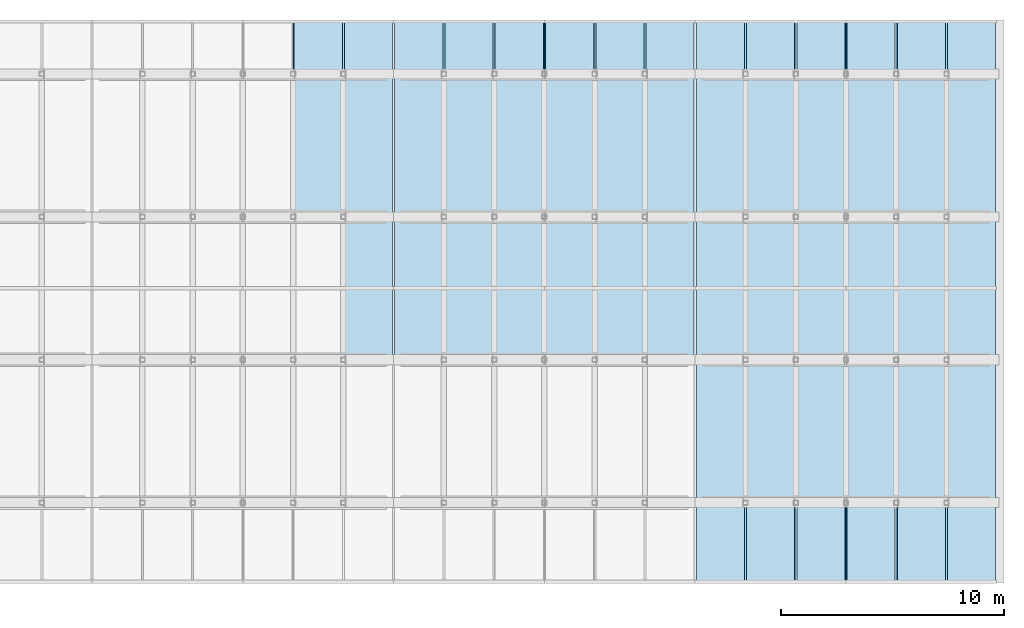
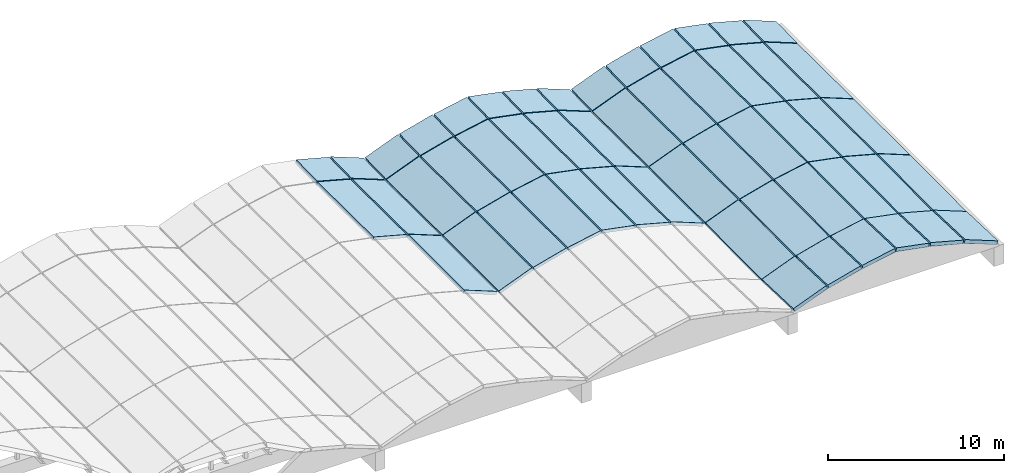
# One storey, part 14 of 15: 53 slabs, 3 elements without a shape of their own.
"""IFC4 building model written with IfcOpenShell, lengths in metres."""

from ifc_helpers import new_model, si_unit, direction, frame, origin, place, context, subcontext, project, spatial, polyline, outline, extrude, material, layer, layer_set, type_object, element, aggregate, save


model = new_model("IFC4")

# Units and contexts
model_context = context("Model", 3, precision=1e-05, world=origin(), true_north=direction((0.0, 1.0)))
body_context = subcontext(model_context, "Body", "Model", "MODEL_VIEW")
ifc_project = project(units=[si_unit("LENGTHUNIT", "METRE"), si_unit("AREAUNIT", "SQUARE_METRE"), si_unit("VOLUMEUNIT", "CUBIC_METRE"), si_unit("PLANEANGLEUNIT", "RADIAN"), si_unit("MASSUNIT", "GRAM", prefix="KILO")], contexts=[model_context])

# Site, building, storey
site_placement = place(None, origin())
site = spatial("IfcSite", under=ifc_project, at=site_placement, CompositionType="ELEMENT")
building_placement = place(site_placement, origin())
building = spatial("IfcBuilding", under=site, at=building_placement, Name="Fikremerkos Civic Library", CompositionType="ELEMENT")
storey_placement = place(building_placement, frame((0.0, 0.0, 27.89990234375)))
storey = spatial("IfcBuildingStorey", under=building, at=storey_placement, Name="RF", CompositionType="ELEMENT", Elevation=27.89990234375)

# Roof, slabs
ifc_material = material(Name="Concrete C40/50", Category="concrete")
ifc_layer_1 = layer(ifc_material, 0.219970703125, Name="Concrete C40/50")
ifc_layer_set_1 = layer_set([ifc_layer_1], Name="Concrete C40/50")
roof_type = type_object("IfcRoofType", Name="Reading hall barrel vault assembly RF-BV", PredefinedType="BARREL_ROOF", material=ifc_layer_set_1)
roof_1_placement = place(storey_placement, origin())
roof_1 = element("IfcRoof", 1, at=roof_1_placement, inside=storey, type_object=roof_type, Name="Reading hall concrete barrel vault V5", PredefinedType="BARREL_ROOF")
ifc_layer_2 = layer(ifc_material, 0.219970703125, Name="Concrete C40/50")
ifc_layer_set_2 = layer_set([ifc_layer_2], Name="Concrete C40/50")
slab_type_1 = type_object("IfcSlabType", Name="Vault shell roof strip VSR-01 220", PredefinedType="ROOF", material=ifc_layer_set_2)
slab_1_placement = place(storey_placement, frame((84.498046875, 18.4150390625, 1.076171875), z_axis=(0.365636053128, 0.0, 0.930757904427), x_axis=(0.930757904427, 0.0, -0.365636053128)))
slab_1 = element("IfcSlab", 2, at=slab_1_placement, type_object=slab_type_1, Name="Barrel vault shell strip VSR-01 V5 R3 F6", PredefinedType="ROOF", context=body_context, shape_type="SweptSolid", body=[
    extrude(outline(polyline([(0.0, 0.0), (2.314299695043787, 0.0), (2.314299695043787, 6.369873046875), (0.0, 6.369873046875), (0.0, 0.0)])), origin(), (0.0, 0.0, -1.0), 0.219970703125),
])
slab_2_placement = place(storey_placement, frame((82.248046875, 24.81494140625, 1.654052734375), z_axis=(0.259108847261, 0.006070671626, 0.965829049168), x_axis=(0.965846846535, 0.0, -0.259113621869)))
slab_2 = element("IfcSlab", 3, at=slab_2_placement, type_object=slab_type_1, Name="Barrel vault shell strip VSR-01 V5 R4 F5", PredefinedType="ROOF", context=body_context, shape_type="SweptSolid", body=[
    extrude(outline(polyline([(0.0, 0.0), (2.2302218432479766, -4.336808689942018e-19), (2.2405965097485847, 6.3702345698807505), (0.010374666500608148, 6.3702345698807505), (0.0, 0.0)])), origin(), (0.0, 0.0, -1.0), 0.219970703125),
])
slab_3_placement = place(storey_placement, frame((84.498046875, 24.81494140625, 1.076171875), z_axis=(0.365584139107, 0.005832410844, 0.930760022894), x_axis=(0.930775853527, 2.86336e-07, -0.365590358861)))
slab_3 = element("IfcSlab", 4, at=slab_3_placement, type_object=slab_type_1, Name="Barrel vault shell strip VSR-01 V5 R4 F6", PredefinedType="ROOF", context=body_context, shape_type="SweptSolid", body=[
    extrude(outline(polyline([(0.0, 0.0), (2.314299692254804, -8.673617379884035e-19), (2.328850156019198, 6.370224869609008), (0.01463971922310075, 6.37022619494165), (0.0, 0.0)])), origin(), (0.0, 0.0, -1.0), 0.219970703125),
])

roof_2_placement = place(storey_placement, origin())
roof_2 = element("IfcRoof", 5, at=roof_2_placement, inside=storey, type_object=roof_type, Name="Reading hall concrete barrel vault V6", PredefinedType="BARREL_ROOF")
slab_4_placement = place(storey_placement, frame((86.748046875, 18.4150390625, 0.22998046875), z_axis=(-0.365636053128, 0.0, 0.930757904427), x_axis=(0.930757904427, 0.0, 0.365636053128)))
slab_4 = element("IfcSlab", 6, at=slab_4_placement, type_object=slab_type_1, Name="Barrel vault shell strip VSR-01 V6 R3 F1", PredefinedType="ROOF", context=body_context, shape_type="SweptSolid", body=[
    extrude(outline(polyline([(0.0, 0.0), (2.314299695043787, 0.0), (2.314299695043787, 6.369873046875), (0.0, 6.369873046875), (0.0, 0.0)])), origin(), (0.0, 0.0, -1.0), 0.219970703125),
])
slab_5_placement = place(storey_placement, frame((88.998046875, 18.4150390625, 1.076171875), z_axis=(-0.259113621869, 0.0, 0.965846846535), x_axis=(0.965846846535, 0.0, 0.259113621869)))
slab_5 = element("IfcSlab", 7, at=slab_5_placement, type_object=slab_type_1, Name="Barrel vault shell strip VSR-01 V6 R3 F2", PredefinedType="ROOF", context=body_context, shape_type="SweptSolid", body=[
    extrude(outline(polyline([(0.0, 0.0), (2.2302218432479766, 0.0), (2.2302218432479766, 6.369873046875), (0.0, 6.369873046875), (0.0, 0.0)])), origin(), (0.0, 0.0, -1.0), 0.219970703125),
])
slab_6_placement = place(storey_placement, frame((91.248046875, 18.4150390625, 1.654052734375), z_axis=(-0.191450242889, 0.0, 0.981502320169), x_axis=(0.981502320169, 0.0, 0.191450242889)))
slab_6 = element("IfcSlab", 8, at=slab_6_placement, type_object=slab_type_1, Name="Barrel vault shell strip VSR-01 V6 R3 F3", PredefinedType="ROOF", context=body_context, shape_type="SweptSolid", body=[
    extrude(outline(polyline([(0.0, 0.0), (2.1946486423012233, 0.0), (2.1946486423012233, 6.369873046875), (0.0, 6.369873046875), (0.0, 0.0)])), origin(), (0.0, 0.0, -1.0), 0.219970703125),
])
slab_7_placement = place(storey_placement, frame((93.498046875, 18.4150390625, 2.07421875), z_axis=(0.191450242889, 0.0, 0.981502320169), x_axis=(0.981502320169, 0.0, -0.191450242889)))
slab_7 = element("IfcSlab", 9, at=slab_7_placement, type_object=slab_type_1, Name="Barrel vault shell strip VSR-01 V6 R3 F4", PredefinedType="ROOF", context=body_context, shape_type="SweptSolid", body=[
    extrude(outline(polyline([(0.0, 0.0), (2.1946486423012233, 0.0), (2.1946486423012233, 6.369873046875), (0.0, 6.369873046875), (0.0, 0.0)])), origin(), (0.0, 0.0, -1.0), 0.219970703125),
])
slab_8_placement = place(storey_placement, frame((95.748046875, 18.4150390625, 1.654052734375), z_axis=(0.259113621869, 0.0, 0.965846846535), x_axis=(0.965846846535, 0.0, -0.259113621869)))
slab_8 = element("IfcSlab", 10, at=slab_8_placement, type_object=slab_type_1, Name="Barrel vault shell strip VSR-01 V6 R3 F5", PredefinedType="ROOF", context=body_context, shape_type="SweptSolid", body=[
    extrude(outline(polyline([(0.0, 0.0), (2.2302218432479766, 0.0), (2.2302218432479766, 6.369873046875), (0.0, 6.369873046875), (0.0, 0.0)])), origin(), (0.0, 0.0, -1.0), 0.219970703125),
])
slab_9_placement = place(storey_placement, frame((97.998046875, 18.4150390625, 1.076171875), z_axis=(0.365636053128, 0.0, 0.930757904427), x_axis=(0.930757904427, 0.0, -0.365636053128)))
slab_9 = element("IfcSlab", 11, at=slab_9_placement, type_object=slab_type_1, Name="Barrel vault shell strip VSR-01 V6 R3 F6", PredefinedType="ROOF", context=body_context, shape_type="SweptSolid", body=[
    extrude(outline(polyline([(0.0, 0.0), (2.314299695043787, 0.0), (2.314299695043787, 6.369873046875), (0.0, 6.369873046875), (0.0, 0.0)])), origin(), (0.0, 0.0, -1.0), 0.219970703125),
])
slab_10_placement = place(storey_placement, frame((86.748046875, 24.81494140625, 0.22998046875), z_axis=(-0.365584139107, 0.005832410844, 0.930760022894), x_axis=(0.930775853527, -2.86336e-07, 0.365590358861)))
slab_10 = element("IfcSlab", 12, at=slab_10_placement, type_object=slab_type_1, Name="Barrel vault shell strip VSR-01 V6 R4 F1", PredefinedType="ROOF", context=body_context, shape_type="SweptSolid", body=[
    extrude(outline(polyline([(0.0, 0.0), (2.314299692254804, 8.673617379884035e-19), (2.299659973031703, 6.370226194941651), (-0.014550463764394549, 6.370224869609008), (0.0, 0.0)])), origin(), (0.0, 0.0, -1.0), 0.219970703125),
])
slab_11_placement = place(storey_placement, frame((88.998046875, 24.81494140625, 1.076171875), z_axis=(-0.259108847261, 0.006070671626, 0.965829049168), x_axis=(0.965846846535, 0.0, 0.259113621869)))
slab_11 = element("IfcSlab", 13, at=slab_11_placement, type_object=slab_type_1, Name="Barrel vault shell strip VSR-01 V6 R4 F2", PredefinedType="ROOF", context=body_context, shape_type="SweptSolid", body=[
    extrude(outline(polyline([(0.0, 0.0), (2.2302218432479766, 4.336808689942018e-19), (2.2198471767473684, 6.3702345698807505), (-0.010374666500608148, 6.3702345698807505), (0.0, 0.0)])), origin(), (0.0, 0.0, -1.0), 0.219970703125),
])
slab_12_placement = place(storey_placement, frame((91.248046875, 24.81494140625, 1.654052734375), z_axis=(-0.191446599806, 0.006169067818, 0.981483643279), x_axis=(0.981502320169, 0.0, 0.191450242889)))
slab_12 = element("IfcSlab", 14, at=slab_12_placement, type_object=slab_type_1, Name="Barrel vault shell strip VSR-01 V6 R4 F3", PredefinedType="ROOF", context=body_context, shape_type="SweptSolid", body=[
    extrude(outline(polyline([(0.0, 0.0), (2.1946486423012233, -4.336808689942018e-19), (2.1869831540605427, 6.37023840600168), (-0.0076654882406804545, 6.37023840600168), (0.0, 0.0)])), origin(), (0.0, 0.0, -1.0), 0.219970703125),
])
slab_13_placement = place(storey_placement, frame((93.498046875, 24.81494140625, 2.07421875), z_axis=(0.191446599806, 0.006169067818, 0.981483643279), x_axis=(0.981502320169, 0.0, -0.191450242889)))
slab_13 = element("IfcSlab", 15, at=slab_13_placement, type_object=slab_type_1, Name="Barrel vault shell strip VSR-01 V6 R4 F4", PredefinedType="ROOF", context=body_context, shape_type="SweptSolid", body=[
    extrude(outline(polyline([(0.0, 0.0), (2.1946486423012233, 4.336808689942018e-19), (2.202314130541904, 6.37023840600168), (0.0076654882406804545, 6.37023840600168), (0.0, 0.0)])), origin(), (0.0, 0.0, -1.0), 0.219970703125),
])
slab_14_placement = place(storey_placement, frame((95.748046875, 24.81494140625, 1.654052734375), z_axis=(0.259108847261, 0.006070671626, 0.965829049168), x_axis=(0.965846846535, 0.0, -0.259113621869)))
slab_14 = element("IfcSlab", 16, at=slab_14_placement, type_object=slab_type_1, Name="Barrel vault shell strip VSR-01 V6 R4 F5", PredefinedType="ROOF", context=body_context, shape_type="SweptSolid", body=[
    extrude(outline(polyline([(0.0, 0.0), (2.2302218432479766, -4.336808689942018e-19), (2.2405965097485847, 6.3702345698807505), (0.010374666500608148, 6.3702345698807505), (0.0, 0.0)])), origin(), (0.0, 0.0, -1.0), 0.219970703125),
])
slab_15_placement = place(storey_placement, frame((97.998046875, 24.81494140625, 1.076171875), z_axis=(0.365584139107, 0.005832410844, 0.930760022894), x_axis=(0.930775853527, 2.86336e-07, -0.365590358861)))
slab_15 = element("IfcSlab", 17, at=slab_15_placement, type_object=slab_type_1, Name="Barrel vault shell strip VSR-01 V6 R4 F6", PredefinedType="ROOF", context=body_context, shape_type="SweptSolid", body=[
    extrude(outline(polyline([(0.0, 0.0), (2.314299692254804, -8.673617379884035e-19), (2.328850156019198, 6.370224869609008), (0.01463971922310075, 6.37022619494165), (0.0, 0.0)])), origin(), (0.0, 0.0, -1.0), 0.219970703125),
])

roof_3_placement = place(storey_placement, origin())
roof_3 = element("IfcRoof", 18, at=roof_3_placement, inside=storey, type_object=roof_type, Name="Reading hall concrete barrel vault V7", PredefinedType="BARREL_ROOF")
slab_16_placement = place(storey_placement, frame((100.248046875, 12.014892578125, 0.190185546875), z_axis=(-0.365584139107, -0.005832410844, 0.930760022894), x_axis=(0.930775854748, -2.86347e-07, 0.365590355752)))
slab_16 = element("IfcSlab", 19, at=slab_16_placement, type_object=slab_type_1, Name="Barrel vault shell strip VSR-01 V7 R2 F1", PredefinedType="ROOF", context=body_context, shape_type="SweptSolid", body=[
    extrude(outline(polyline([(0.0, 0.0), (2.314210436796477, -8.673617379884035e-19), (2.328846507834182, 6.370226203324673), (0.014546815579757719, 6.370224877940915), (0.0, 0.0)])), origin(), (0.0, 0.0, -1.0), 0.219970703125),
])
slab_17_placement = place(storey_placement, frame((102.498046875, 12.014892578125, 1.0361328125), z_axis=(-0.259108847261, -0.006070671626, 0.965829049168), x_axis=(0.965846846535, 0.0, 0.259113621869)))
slab_17 = element("IfcSlab", 20, at=slab_17_placement, type_object=slab_type_1, Name="Barrel vault shell strip VSR-01 V7 R2 F2", PredefinedType="ROOF", context=body_context, shape_type="SweptSolid", body=[
    extrude(outline(polyline([(0.0, 0.0), (2.2302218432479766, -4.336808689942018e-19), (2.2405965097485847, 6.3702345698807505), (0.010374666500608148, 6.3702345698807505), (0.0, 0.0)])), origin(), (0.0, 0.0, -1.0), 0.219970703125),
])
slab_18_placement = place(storey_placement, frame((104.748046875, 12.014892578125, 1.614013671875), z_axis=(-0.191446599806, -0.006169067818, 0.981483643279), x_axis=(0.981502320169, 0.0, 0.191450242889)))
slab_18 = element("IfcSlab", 21, at=slab_18_placement, type_object=slab_type_1, Name="Barrel vault shell strip VSR-01 V7 R2 F3", PredefinedType="ROOF", context=body_context, shape_type="SweptSolid", body=[
    extrude(outline(polyline([(0.0, 0.0), (2.1946486423012233, 4.336808689942018e-19), (2.202314130541904, 6.37023840600168), (0.0076654882406804545, 6.37023840600168), (0.0, 0.0)])), origin(), (0.0, 0.0, -1.0), 0.219970703125),
])
slab_19_placement = place(storey_placement, frame((106.998046875, 12.014892578125, 2.0341796875), z_axis=(0.191446599806, -0.006169067818, 0.981483643279), x_axis=(0.981502320169, 0.0, -0.191450242889)))
slab_19 = element("IfcSlab", 22, at=slab_19_placement, type_object=slab_type_1, Name="Barrel vault shell strip VSR-01 V7 R2 F4", PredefinedType="ROOF", context=body_context, shape_type="SweptSolid", body=[
    extrude(outline(polyline([(0.0, 0.0), (2.1946486423012233, -4.336808689942018e-19), (2.1869831540605427, 6.37023840600168), (-0.0076654882406804545, 6.37023840600168), (0.0, 0.0)])), origin(), (0.0, 0.0, -1.0), 0.219970703125),
])
slab_20_placement = place(storey_placement, frame((109.248046875, 12.014892578125, 1.614013671875), z_axis=(0.259108847261, -0.006070671626, 0.965829049168), x_axis=(0.965846846535, 0.0, -0.259113621869)))
slab_20 = element("IfcSlab", 23, at=slab_20_placement, type_object=slab_type_1, Name="Barrel vault shell strip VSR-01 V7 R2 F5", PredefinedType="ROOF", context=body_context, shape_type="SweptSolid", body=[
    extrude(outline(polyline([(0.0, 0.0), (2.2302218432479766, 4.336808689942018e-19), (2.2198471767473684, 6.3702345698807505), (-0.010374666500608148, 6.3702345698807505), (0.0, 0.0)])), origin(), (0.0, 0.0, -1.0), 0.219970703125),
])
slab_21_placement = place(storey_placement, frame((111.498046875, 12.014892578125, 1.0361328125), z_axis=(0.365584139107, -0.005832410844, 0.930760022894), x_axis=(0.930775854748, 2.86347e-07, -0.365590355752)))
slab_21 = element("IfcSlab", 24, at=slab_21_placement, type_object=slab_type_1, Name="Barrel vault shell strip VSR-01 V7 R2 F6", PredefinedType="ROOF", context=body_context, shape_type="SweptSolid", body=[
    extrude(outline(polyline([(0.0, 0.0), (2.314210436796477, 8.673617379884035e-19), (2.299663621216719, 6.370224877940915), (-0.014636071037704897, 6.370226203324673), (0.0, 0.0)])), origin(), (0.0, 0.0, -1.0), 0.219970703125),
])
slab_22_placement = place(storey_placement, frame((100.248046875, 18.4150390625, 0.22998046875), z_axis=(-0.365636053128, 0.0, 0.930757904427), x_axis=(0.930757904427, 0.0, 0.365636053128)))
slab_22 = element("IfcSlab", 25, at=slab_22_placement, type_object=slab_type_1, Name="Barrel vault shell strip VSR-01 V7 R3 F1", PredefinedType="ROOF", context=body_context, shape_type="SweptSolid", body=[
    extrude(outline(polyline([(0.0, 0.0), (2.314299695043787, 0.0), (2.314299695043787, 6.369873046875), (0.0, 6.369873046875), (0.0, 0.0)])), origin(), (0.0, 0.0, -1.0), 0.219970703125),
])
slab_23_placement = place(storey_placement, frame((102.498046875, 18.4150390625, 1.076171875), z_axis=(-0.259113621869, 0.0, 0.965846846535), x_axis=(0.965846846535, 0.0, 0.259113621869)))
slab_23 = element("IfcSlab", 26, at=slab_23_placement, type_object=slab_type_1, Name="Barrel vault shell strip VSR-01 V7 R3 F2", PredefinedType="ROOF", context=body_context, shape_type="SweptSolid", body=[
    extrude(outline(polyline([(0.0, 0.0), (2.2302218432479766, 0.0), (2.2302218432479766, 6.369873046875), (0.0, 6.369873046875), (0.0, 0.0)])), origin(), (0.0, 0.0, -1.0), 0.219970703125),
])
slab_24_placement = place(storey_placement, frame((104.748046875, 18.4150390625, 1.654052734375), z_axis=(-0.191450242889, 0.0, 0.981502320169), x_axis=(0.981502320169, 0.0, 0.191450242889)))
slab_24 = element("IfcSlab", 27, at=slab_24_placement, type_object=slab_type_1, Name="Barrel vault shell strip VSR-01 V7 R3 F3", PredefinedType="ROOF", context=body_context, shape_type="SweptSolid", body=[
    extrude(outline(polyline([(0.0, 0.0), (2.1946486423012233, 0.0), (2.1946486423012233, 6.369873046875), (0.0, 6.369873046875), (0.0, 0.0)])), origin(), (0.0, 0.0, -1.0), 0.219970703125),
])
slab_25_placement = place(storey_placement, frame((106.998046875, 18.4150390625, 2.07421875), z_axis=(0.191450242889, 0.0, 0.981502320169), x_axis=(0.981502320169, 0.0, -0.191450242889)))
slab_25 = element("IfcSlab", 28, at=slab_25_placement, type_object=slab_type_1, Name="Barrel vault shell strip VSR-01 V7 R3 F4", PredefinedType="ROOF", context=body_context, shape_type="SweptSolid", body=[
    extrude(outline(polyline([(0.0, 0.0), (2.1946486423012233, 0.0), (2.1946486423012233, 6.369873046875), (0.0, 6.369873046875), (0.0, 0.0)])), origin(), (0.0, 0.0, -1.0), 0.219970703125),
])
slab_26_placement = place(storey_placement, frame((109.248046875, 18.4150390625, 1.654052734375), z_axis=(0.259113621869, 0.0, 0.965846846535), x_axis=(0.965846846535, 0.0, -0.259113621869)))
slab_26 = element("IfcSlab", 29, at=slab_26_placement, type_object=slab_type_1, Name="Barrel vault shell strip VSR-01 V7 R3 F5", PredefinedType="ROOF", context=body_context, shape_type="SweptSolid", body=[
    extrude(outline(polyline([(0.0, 0.0), (2.2302218432479766, 0.0), (2.2302218432479766, 6.369873046875), (0.0, 6.369873046875), (0.0, 0.0)])), origin(), (0.0, 0.0, -1.0), 0.219970703125),
])
slab_27_placement = place(storey_placement, frame((111.498046875, 18.4150390625, 1.076171875), z_axis=(0.365636053128, 0.0, 0.930757904427), x_axis=(0.930757904427, 0.0, -0.365636053128)))
slab_27 = element("IfcSlab", 30, at=slab_27_placement, type_object=slab_type_1, Name="Barrel vault shell strip VSR-01 V7 R3 F6", PredefinedType="ROOF", context=body_context, shape_type="SweptSolid", body=[
    extrude(outline(polyline([(0.0, 0.0), (2.314299695043787, 0.0), (2.314299695043787, 6.369873046875), (0.0, 6.369873046875), (0.0, 0.0)])), origin(), (0.0, 0.0, -1.0), 0.219970703125),
])
slab_28_placement = place(storey_placement, frame((100.248046875, 24.81494140625, 0.22998046875), z_axis=(-0.365584139107, 0.005832410844, 0.930760022894), x_axis=(0.930775853527, -2.86336e-07, 0.365590358861)))
slab_28 = element("IfcSlab", 31, at=slab_28_placement, type_object=slab_type_1, Name="Barrel vault shell strip VSR-01 V7 R4 F1", PredefinedType="ROOF", context=body_context, shape_type="SweptSolid", body=[
    extrude(outline(polyline([(0.0, 0.0), (2.314299692254804, 8.673617379884035e-19), (2.299659973031703, 6.370226194941651), (-0.014550463764394549, 6.370224869609008), (0.0, 0.0)])), origin(), (0.0, 0.0, -1.0), 0.219970703125),
])
slab_29_placement = place(storey_placement, frame((102.498046875, 24.81494140625, 1.076171875), z_axis=(-0.259108847261, 0.006070671626, 0.965829049168), x_axis=(0.965846846535, 0.0, 0.259113621869)))
slab_29 = element("IfcSlab", 32, at=slab_29_placement, type_object=slab_type_1, Name="Barrel vault shell strip VSR-01 V7 R4 F2", PredefinedType="ROOF", context=body_context, shape_type="SweptSolid", body=[
    extrude(outline(polyline([(0.0, 0.0), (2.2302218432479766, 4.336808689942018e-19), (2.2198471767473684, 6.3702345698807505), (-0.010374666500608148, 6.3702345698807505), (0.0, 0.0)])), origin(), (0.0, 0.0, -1.0), 0.219970703125),
])
slab_30_placement = place(storey_placement, frame((104.748046875, 24.81494140625, 1.654052734375), z_axis=(-0.191446599806, 0.006169067818, 0.981483643279), x_axis=(0.981502320169, 0.0, 0.191450242889)))
slab_30 = element("IfcSlab", 33, at=slab_30_placement, type_object=slab_type_1, Name="Barrel vault shell strip VSR-01 V7 R4 F3", PredefinedType="ROOF", context=body_context, shape_type="SweptSolid", body=[
    extrude(outline(polyline([(0.0, 0.0), (2.1946486423012233, -4.336808689942018e-19), (2.1869831540605427, 6.37023840600168), (-0.0076654882406804545, 6.37023840600168), (0.0, 0.0)])), origin(), (0.0, 0.0, -1.0), 0.219970703125),
])
slab_31_placement = place(storey_placement, frame((106.998046875, 24.81494140625, 2.07421875), z_axis=(0.191446599806, 0.006169067818, 0.981483643279), x_axis=(0.981502320169, 0.0, -0.191450242889)))
slab_31 = element("IfcSlab", 34, at=slab_31_placement, type_object=slab_type_1, Name="Barrel vault shell strip VSR-01 V7 R4 F4", PredefinedType="ROOF", context=body_context, shape_type="SweptSolid", body=[
    extrude(outline(polyline([(0.0, 0.0), (2.1946486423012233, 4.336808689942018e-19), (2.202314130541904, 6.37023840600168), (0.0076654882406804545, 6.37023840600168), (0.0, 0.0)])), origin(), (0.0, 0.0, -1.0), 0.219970703125),
])
slab_32_placement = place(storey_placement, frame((109.248046875, 24.81494140625, 1.654052734375), z_axis=(0.259108847261, 0.006070671626, 0.965829049168), x_axis=(0.965846846535, 0.0, -0.259113621869)))
slab_32 = element("IfcSlab", 35, at=slab_32_placement, type_object=slab_type_1, Name="Barrel vault shell strip VSR-01 V7 R4 F5", PredefinedType="ROOF", context=body_context, shape_type="SweptSolid", body=[
    extrude(outline(polyline([(0.0, 0.0), (2.2302218432479766, -4.336808689942018e-19), (2.2405965097485847, 6.3702345698807505), (0.010374666500608148, 6.3702345698807505), (0.0, 0.0)])), origin(), (0.0, 0.0, -1.0), 0.219970703125),
])
slab_33_placement = place(storey_placement, frame((111.498046875, 24.81494140625, 1.076171875), z_axis=(0.365584139107, 0.005832410844, 0.930760022894), x_axis=(0.930775853527, 2.86336e-07, -0.365590358861)))
slab_33 = element("IfcSlab", 36, at=slab_33_placement, type_object=slab_type_1, Name="Barrel vault shell strip VSR-01 V7 R4 F6", PredefinedType="ROOF", context=body_context, shape_type="SweptSolid", body=[
    extrude(outline(polyline([(0.0, 0.0), (2.314299692254804, -8.673617379884035e-19), (2.328850156019198, 6.370224869609008), (0.01463971922310075, 6.37022619494165), (0.0, 0.0)])), origin(), (0.0, 0.0, -1.0), 0.219970703125),
])

# Slab
ifc_layer_3 = layer(ifc_material, 0.239990234375, Name="Concrete C40/50")
ifc_layer_set_3 = layer_set([ifc_layer_3], Name="Concrete C40/50")
slab_type_2 = type_object("IfcSlabType", Name="Vault shell roof strip VSR-02 240", PredefinedType="ROOF", material=ifc_layer_set_3)
slab_34_placement = place(storey_placement, frame((82.248046875, 31.215087890625, 1.634033203125), z_axis=(0.259047553694, -0.02258074905, 0.965600577204), x_axis=(0.965846846535, 0.0, -0.259113621869)))
slab_34 = element("IfcSlab", 37, at=slab_34_placement, type_object=slab_type_2, Name="Barrel vault shell strip VSR-02 V5 R5 F5", PredefinedType="ROOF", context=body_context, shape_type="SweptSolid", body=[
    extrude(outline(polyline([(0.0, 0.0), (2.2302218432479766, 0.0), (2.215861786567257, 2.370477465578898), (-0.014360056680719815, 2.370477465578898), (0.0, 0.0)])), origin(), (0.0, 0.0, -1.0), 0.239990234375),
])

slab_35_placement = place(storey_placement, frame((84.498046875, 31.215087890625, 1.05615234375), z_axis=(0.365504165159, -0.021713302518, 0.930556412984), x_axis=(0.930775862599, 1.0658e-06, -0.365590335761)))
slab_35 = element("IfcSlab", 38, at=slab_35_placement, type_object=slab_type_2, Name="Barrel vault shell strip VSR-02 V5 R5 F6", PredefinedType="ROOF", context=body_context, shape_type="SweptSolid", body=[
    extrude(outline(polyline([(0.0, 0.0), (2.3142104367976972, 3.469446951953614e-18), (2.294041230215815, 2.3704294579977616), (-0.020258462034948587, 2.370434392228092), (0.0, 0.0)])), origin(), (0.0, 0.0, -1.0), 0.239990234375),
])

aggregate(roof_1, [slab_1, slab_2, slab_3, slab_34, slab_35])

slab_36_placement = place(storey_placement, frame((86.748046875, 31.215087890625, 0.210205078125), z_axis=(-0.365504165159, -0.021713302518, 0.930556412984), x_axis=(0.930775862599, -1.0658e-06, 0.365590335761)))
slab_36 = element("IfcSlab", 39, at=slab_36_placement, type_object=slab_type_2, Name="Barrel vault shell strip VSR-02 V6 R5 F1", PredefinedType="ROOF", context=body_context, shape_type="SweptSolid", body=[
    extrude(outline(polyline([(0.0, 0.0), (2.3142104367976972, -3.469446951953614e-18), (2.334468898832646, 2.370434392228092), (0.02016920658188198, 2.3704294579977616), (0.0, 0.0)])), origin(), (0.0, 0.0, -1.0), 0.239990234375),
])

slab_37_placement = place(storey_placement, frame((88.998046875, 31.215087890625, 1.05615234375), z_axis=(-0.259047553694, -0.02258074905, 0.965600577204), x_axis=(0.965846846535, 0.0, 0.259113621869)))
slab_37 = element("IfcSlab", 40, at=slab_37_placement, type_object=slab_type_2, Name="Barrel vault shell strip VSR-02 V6 R5 F2", PredefinedType="ROOF", context=body_context, shape_type="SweptSolid", body=[
    extrude(outline(polyline([(0.0, 0.0), (2.2302218432479766, 0.0), (2.2445818999286966, 2.370477465578898), (0.014360056680719815, 2.370477465578898), (0.0, 0.0)])), origin(), (0.0, 0.0, -1.0), 0.239990234375),
])

slab_38_placement = place(storey_placement, frame((91.248046875, 31.215087890625, 1.634033203125), z_axis=(-0.191399832658, -0.022946570677, 0.981243883524), x_axis=(0.981502320169, 0.0, 0.191450242889)))
slab_38 = element("IfcSlab", 41, at=slab_38_placement, type_object=slab_type_2, Name="Barrel vault shell strip VSR-02 V6 R5 F3", PredefinedType="ROOF", context=body_context, shape_type="SweptSolid", body=[
    extrude(outline(polyline([(0.0, 0.0), (2.1946486423012233, 0.0), (2.2052587998050917, 2.3704972159028093), (0.010610157503868678, 2.3704972159028093), (0.0, 0.0)])), origin(), (0.0, 0.0, -1.0), 0.239990234375),
])

slab_39_placement = place(storey_placement, frame((93.498046875, 31.215087890625, 2.05419921875), z_axis=(0.191399832658, -0.022946570677, 0.981243883524), x_axis=(0.981502320169, 0.0, -0.191450242889)))
slab_39 = element("IfcSlab", 42, at=slab_39_placement, type_object=slab_type_2, Name="Barrel vault shell strip VSR-02 V6 R5 F4", PredefinedType="ROOF", context=body_context, shape_type="SweptSolid", body=[
    extrude(outline(polyline([(0.0, 0.0), (2.1946486423012233, 0.0), (2.1840384847973544, 2.3704972159028093), (-0.010610157503868678, 2.3704972159028093), (0.0, 0.0)])), origin(), (0.0, 0.0, -1.0), 0.239990234375),
])

slab_40_placement = place(storey_placement, frame((95.748046875, 31.215087890625, 1.634033203125), z_axis=(0.259047553694, -0.02258074905, 0.965600577204), x_axis=(0.965846846535, 0.0, -0.259113621869)))
slab_40 = element("IfcSlab", 43, at=slab_40_placement, type_object=slab_type_2, Name="Barrel vault shell strip VSR-02 V6 R5 F5", PredefinedType="ROOF", context=body_context, shape_type="SweptSolid", body=[
    extrude(outline(polyline([(0.0, 0.0), (2.2302218432479766, 0.0), (2.215861786567257, 2.370477465578898), (-0.014360056680719815, 2.370477465578898), (0.0, 0.0)])), origin(), (0.0, 0.0, -1.0), 0.239990234375),
])

slab_41_placement = place(storey_placement, frame((97.998046875, 31.215087890625, 1.05615234375), z_axis=(0.365504165159, -0.021713302518, 0.930556412984), x_axis=(0.930775862599, 1.0658e-06, -0.365590335761)))
slab_41 = element("IfcSlab", 44, at=slab_41_placement, type_object=slab_type_2, Name="Barrel vault shell strip VSR-02 V6 R5 F6", PredefinedType="ROOF", context=body_context, shape_type="SweptSolid", body=[
    extrude(outline(polyline([(0.0, 0.0), (2.3142104367976972, 3.469446951953614e-18), (2.294041230215815, 2.3704294579977616), (-0.020258462034948587, 2.370434392228092), (0.0, 0.0)])), origin(), (0.0, 0.0, -1.0), 0.239990234375),
])

aggregate(roof_2, [slab_4, slab_5, slab_6, slab_7, slab_8, slab_9, slab_10, slab_11, slab_12, slab_13, slab_14, slab_15, slab_36, slab_37, slab_38, slab_39, slab_40, slab_41])

slab_42_placement = place(storey_placement, frame((100.248046875, 8.4150390625, 0.3349609375), z_axis=(-0.365351443407, 0.032509350127, 0.930301813905), x_axis=(0.930793802296, 0.0, 0.365544658841)))
slab_42 = element("IfcSlab", 45, at=slab_42_placement, type_object=slab_type_2, Name="Barrel vault shell strip VSR-02 V7 R1 F1", PredefinedType="ROOF", context=body_context, shape_type="SweptSolid", body=[
    extrude(outline(polyline([(0.0, 0.0), (2.314210439585568, -3.469446951953614e-18), (2.2686066015318955, 3.5719563834142316), (-0.04560383805367241, 3.5719563834142316), (0.0, 0.0)])), origin(), (0.0, 0.0, -1.0), 0.239990234375),
])

slab_43_placement = place(storey_placement, frame((102.498046875, 8.4150390625, 1.180908203125), z_axis=(-0.258966161686, 0.033732261724, 0.965297188238), x_axis=(0.965846846535, 0.0, 0.259113621869)))
slab_43 = element("IfcSlab", 46, at=slab_43_placement, type_object=slab_type_2, Name="Barrel vault shell strip VSR-02 V7 R1 F2", PredefinedType="ROOF", context=body_context, shape_type="SweptSolid", body=[
    extrude(outline(polyline([(0.0, 0.0), (2.2302218432479766, 0.0), (2.19789590067596, 3.572101223159239), (-0.032325942572016854, 3.572101223159239), (0.0, 0.0)])), origin(), (0.0, 0.0, -1.0), 0.239990234375),
])

slab_44_placement = place(storey_placement, frame((104.748046875, 8.4150390625, 1.7587890625), z_axis=(-0.191337732025, 0.034278392784, 0.980925514038), x_axis=(0.981502320169, 0.0, 0.191450242889)))
slab_44 = element("IfcSlab", 47, at=slab_44_placement, type_object=slab_type_2, Name="Barrel vault shell strip VSR-02 V7 R1 F3", PredefinedType="ROOF", context=body_context, shape_type="SweptSolid", body=[
    extrude(outline(polyline([(0.0, 0.0), (2.1946486423012233, 0.0), (2.1707641027220297, 3.5721676393792037), (-0.023884539579193367, 3.5721676393792037), (0.0, 0.0)])), origin(), (0.0, 0.0, -1.0), 0.239990234375),
])

slab_45_placement = place(storey_placement, frame((106.998046875, 8.4150390625, 2.178955078125), z_axis=(0.191337732025, 0.034278392784, 0.980925514038), x_axis=(0.981502320169, 0.0, -0.191450242889)))
slab_45 = element("IfcSlab", 48, at=slab_45_placement, type_object=slab_type_2, Name="Barrel vault shell strip VSR-02 V7 R1 F4", PredefinedType="ROOF", context=body_context, shape_type="SweptSolid", body=[
    extrude(outline(polyline([(0.0, 0.0), (2.1946486423012233, 0.0), (2.2185331818804164, 3.5721676393792032), (0.023884539579193367, 3.5721676393792037), (0.0, 0.0)])), origin(), (0.0, 0.0, -1.0), 0.239990234375),
])

slab_46_placement = place(storey_placement, frame((109.248046875, 8.4150390625, 1.7587890625), z_axis=(0.258966161686, 0.033732261724, 0.965297188238), x_axis=(0.965846846535, 0.0, -0.259113621869)))
slab_46 = element("IfcSlab", 49, at=slab_46_placement, type_object=slab_type_2, Name="Barrel vault shell strip VSR-02 V7 R1 F5", PredefinedType="ROOF", context=body_context, shape_type="SweptSolid", body=[
    extrude(outline(polyline([(0.0, 0.0), (2.2302218432479766, 0.0), (2.2625477858199936, 3.572101223159239), (0.032325942572016854, 3.572101223159239), (0.0, 0.0)])), origin(), (0.0, 0.0, -1.0), 0.239990234375),
])

slab_47_placement = place(storey_placement, frame((111.498046875, 8.4150390625, 1.180908203125), z_axis=(0.365351443407, 0.032509350127, 0.930301813905), x_axis=(0.930793802296, 0.0, -0.365544658841)))
slab_47 = element("IfcSlab", 50, at=slab_47_placement, type_object=slab_type_2, Name="Barrel vault shell strip VSR-02 V7 R1 F6", PredefinedType="ROOF", context=body_context, shape_type="SweptSolid", body=[
    extrude(outline(polyline([(0.0, 0.0), (2.314210439585568, 3.469446951953614e-18), (2.3598142776392406, 3.571956383414232), (0.04560383805367241, 3.5719563834142316), (0.0, 0.0)])), origin(), (0.0, 0.0, -1.0), 0.239990234375),
])

slab_48_placement = place(storey_placement, frame((100.248046875, 31.215087890625, 0.210205078125), z_axis=(-0.365504165159, -0.021713302518, 0.930556412984), x_axis=(0.930775862599, -1.0658e-06, 0.365590335761)))
slab_48 = element("IfcSlab", 51, at=slab_48_placement, type_object=slab_type_2, Name="Barrel vault shell strip VSR-02 V7 R5 F1", PredefinedType="ROOF", context=body_context, shape_type="SweptSolid", body=[
    extrude(outline(polyline([(0.0, 0.0), (2.3142104367976972, -3.469446951953614e-18), (2.334468898832646, 2.370434392228092), (0.02016920658188198, 2.3704294579977616), (0.0, 0.0)])), origin(), (0.0, 0.0, -1.0), 0.239990234375),
])

slab_49_placement = place(storey_placement, frame((102.498046875, 31.215087890625, 1.05615234375), z_axis=(-0.259047553694, -0.02258074905, 0.965600577204), x_axis=(0.965846846535, 0.0, 0.259113621869)))
slab_49 = element("IfcSlab", 52, at=slab_49_placement, type_object=slab_type_2, Name="Barrel vault shell strip VSR-02 V7 R5 F2", PredefinedType="ROOF", context=body_context, shape_type="SweptSolid", body=[
    extrude(outline(polyline([(0.0, 0.0), (2.2302218432479766, 0.0), (2.2445818999286966, 2.370477465578898), (0.014360056680719815, 2.370477465578898), (0.0, 0.0)])), origin(), (0.0, 0.0, -1.0), 0.239990234375),
])

slab_50_placement = place(storey_placement, frame((104.748046875, 31.215087890625, 1.634033203125), z_axis=(-0.191399832658, -0.022946570677, 0.981243883524), x_axis=(0.981502320169, 0.0, 0.191450242889)))
slab_50 = element("IfcSlab", 53, at=slab_50_placement, type_object=slab_type_2, Name="Barrel vault shell strip VSR-02 V7 R5 F3", PredefinedType="ROOF", context=body_context, shape_type="SweptSolid", body=[
    extrude(outline(polyline([(0.0, 0.0), (2.1946486423012233, 0.0), (2.2052587998050917, 2.3704972159028093), (0.010610157503868678, 2.3704972159028093), (0.0, 0.0)])), origin(), (0.0, 0.0, -1.0), 0.239990234375),
])

slab_51_placement = place(storey_placement, frame((106.998046875, 31.215087890625, 2.05419921875), z_axis=(0.191399832658, -0.022946570677, 0.981243883524), x_axis=(0.981502320169, 0.0, -0.191450242889)))
slab_51 = element("IfcSlab", 54, at=slab_51_placement, type_object=slab_type_2, Name="Barrel vault shell strip VSR-02 V7 R5 F4", PredefinedType="ROOF", context=body_context, shape_type="SweptSolid", body=[
    extrude(outline(polyline([(0.0, 0.0), (2.1946486423012233, 0.0), (2.1840384847973544, 2.3704972159028093), (-0.010610157503868678, 2.3704972159028093), (0.0, 0.0)])), origin(), (0.0, 0.0, -1.0), 0.239990234375),
])

slab_52_placement = place(storey_placement, frame((109.248046875, 31.215087890625, 1.634033203125), z_axis=(0.259047553694, -0.02258074905, 0.965600577204), x_axis=(0.965846846535, 0.0, -0.259113621869)))
slab_52 = element("IfcSlab", 55, at=slab_52_placement, type_object=slab_type_2, Name="Barrel vault shell strip VSR-02 V7 R5 F5", PredefinedType="ROOF", context=body_context, shape_type="SweptSolid", body=[
    extrude(outline(polyline([(0.0, 0.0), (2.2302218432479766, 0.0), (2.215861786567257, 2.370477465578898), (-0.014360056680719815, 2.370477465578898), (0.0, 0.0)])), origin(), (0.0, 0.0, -1.0), 0.239990234375),
])

slab_53_placement = place(storey_placement, frame((111.498046875, 31.215087890625, 1.05615234375), z_axis=(0.365504165159, -0.021713302518, 0.930556412984), x_axis=(0.930775862599, 1.0658e-06, -0.365590335761)))
slab_53 = element("IfcSlab", 56, at=slab_53_placement, type_object=slab_type_2, Name="Barrel vault shell strip VSR-02 V7 R5 F6", PredefinedType="ROOF", context=body_context, shape_type="SweptSolid", body=[
    extrude(outline(polyline([(0.0, 0.0), (2.3142104367976972, 3.469446951953614e-18), (2.294041230215815, 2.3704294579977616), (-0.020258462034948587, 2.370434392228092), (0.0, 0.0)])), origin(), (0.0, 0.0, -1.0), 0.239990234375),
])

aggregate(roof_3, [slab_42, slab_43, slab_44, slab_45, slab_46, slab_47, slab_16, slab_17, slab_18, slab_19, slab_20, slab_21, slab_22, slab_23, slab_24, slab_25, slab_26, slab_27, slab_28, slab_29, slab_30, slab_31, slab_32, slab_33, slab_48, slab_49, slab_50, slab_51, slab_52, slab_53])

save(model, "model.ifc")
